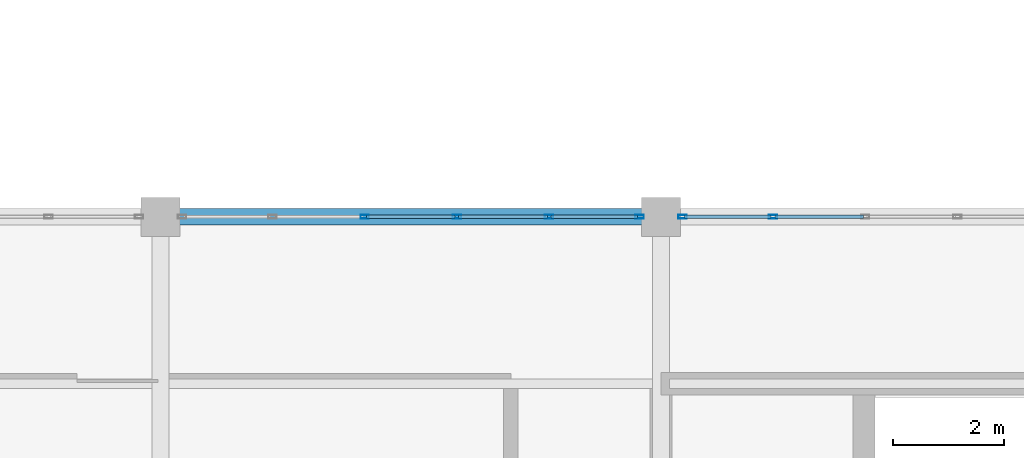
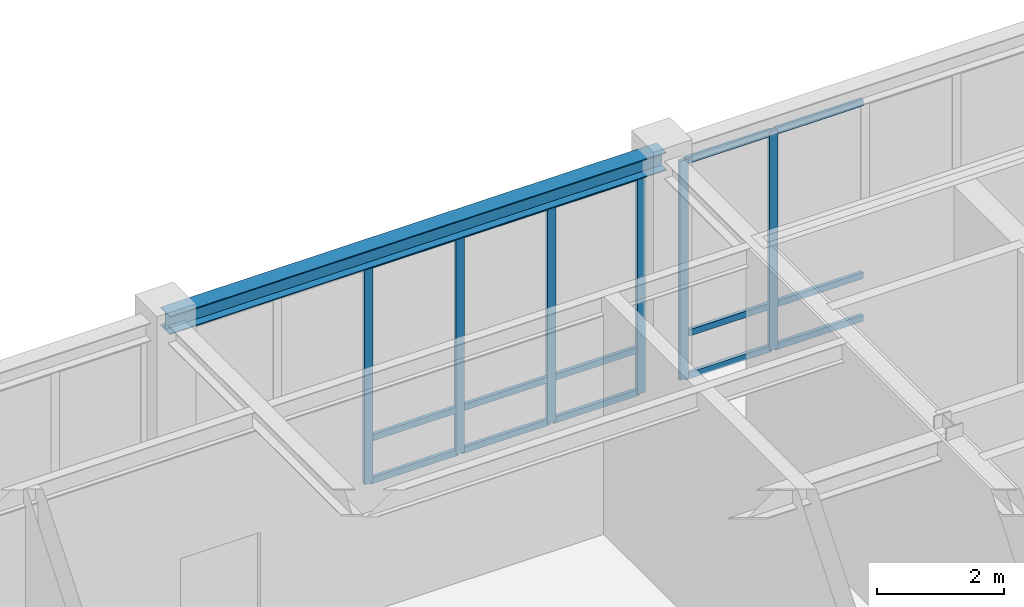
# One storey, part 43 of 92: 21 members, 1 beam, 2 elements without a shape of their own.
"""IFC4 building model written with IfcOpenShell, lengths in metres."""

from ifc_helpers import new_model, si_unit, direction, frame, origin, origin_2d, place, context, subcontext, project, spatial, hollow_rectangle, i_section, extrude, material, material_profile, profile_set, type_object, element, aggregate, save


model = new_model("IFC4")

# Units and contexts
model_context = context("Model", 3, precision=1e-05, world=origin(), true_north=direction((0.0, 1.0)))
body_context = subcontext(model_context, "Body", "Model", "MODEL_VIEW")
ifc_project = project(units=[si_unit("LENGTHUNIT", "METRE"), si_unit("AREAUNIT", "SQUARE_METRE"), si_unit("VOLUMEUNIT", "CUBIC_METRE"), si_unit("PLANEANGLEUNIT", "RADIAN"), si_unit("MASSUNIT", "GRAM", prefix="KILO")], contexts=[model_context])

# Site, building, storey
site_placement = place(None, origin())
site = spatial("IfcSite", under=ifc_project, at=site_placement, CompositionType="ELEMENT")
building_placement = place(site_placement, origin())
building = spatial("IfcBuilding", under=site, at=building_placement, Name="Lykobir Media Centre", CompositionType="ELEMENT")
storey_placement = place(building_placement, frame((0.0, 0.0, 5.39990234375)))
storey = spatial("IfcBuildingStorey", under=building, at=storey_placement, Name="L01", CompositionType="ELEMENT", Elevation=5.39990234375)

# Curtain wall, members
ifc_material_1 = material(Name="Anodized Aluminium AW-6060", Category="aluminium")
curtain_wall_type = type_object("IfcCurtainWallType", Name="CW-COURT-A", PredefinedType="NOTDEFINED", material=ifc_material_1)
curtain_wall_1_placement = place(storey_placement, origin())
curtain_wall_1 = element("IfcCurtainWall", 1, at=curtain_wall_1_placement, inside=storey, type_object=curtain_wall_type, Name="Curtain wall CW2-L01-0029", PredefinedType="NOTDEFINED")
ifc_material_profile_1 = material_profile(ifc_material_1, hollow_rectangle(XDim=0.06494140625, YDim=0.14990234375, WallThickness=0.00341796875, at=origin_2d()), Name="ALU MULLION 65x150")
ifc_profile_set_1 = profile_set([ifc_material_profile_1], Name="Anodized Aluminium AW-6060")
member_type_1 = type_object("IfcMemberType", Name="CWM-150", PredefinedType="MULLION", material=ifc_profile_set_1)
member_1_placement = place(storey_placement, frame((111.6708984375, 18.0, 0.0), z_axis=(0.0, 0.0, 1.0), x_axis=(0.0, 1.0, 0.0)))
member_1 = element("IfcMember", 2, at=member_1_placement, type_object=member_type_1, Name="CW2-L01-0029 mullion 3", PredefinedType="MULLION", context=body_context, shape_type="SweptSolid", body=[
    extrude(hollow_rectangle(XDim=0.06494140625, YDim=0.14990234375, WallThickness=0.00341796875, at=origin_2d()), origin(), (0.0, 0.0, 1.0), 4.195068359375),
])
member_2_placement = place(storey_placement, frame((113.3291015625, 18.0, 0.0), z_axis=(0.0, 0.0, 1.0), x_axis=(0.0, 1.0, 0.0)))
member_2 = element("IfcMember", 3, at=member_2_placement, type_object=member_type_1, Name="CW2-L01-0029 mullion 4", PredefinedType="MULLION", context=body_context, shape_type="SweptSolid", body=[
    extrude(hollow_rectangle(XDim=0.06494140625, YDim=0.14990234375, WallThickness=0.00341796875, at=origin_2d()), origin(), (0.0, 0.0, 1.0), 4.195068359375),
])
member_3_placement = place(storey_placement, frame((114.987060546875, 18.0, 0.0), z_axis=(0.0, 0.0, 1.0), x_axis=(0.0, 1.0, 0.0)))
member_3 = element("IfcMember", 4, at=member_3_placement, type_object=member_type_1, Name="CW2-L01-0029 mullion 5", PredefinedType="MULLION", context=body_context, shape_type="SweptSolid", body=[
    extrude(hollow_rectangle(XDim=0.06494140625, YDim=0.14990234375, WallThickness=0.00341796875, at=origin_2d()), origin(), (0.0, 0.0, 1.0), 4.195068359375),
])
member_4_placement = place(storey_placement, frame((116.612548828125, 18.0, 0.0), z_axis=(0.0, 0.0, 1.0), x_axis=(0.0, 1.0, 0.0)))
member_4 = element("IfcMember", 5, at=member_4_placement, type_object=member_type_1, Name="CW2-L01-0029 mullion 6", PredefinedType="MULLION", context=body_context, shape_type="SweptSolid", body=[
    extrude(hollow_rectangle(XDim=0.06494140625, YDim=0.14990234375, WallThickness=0.00341796875, at=origin_2d()), origin(), (0.0, 0.0, 1.0), 4.195068359375),
])

curtain_wall_2_placement = place(storey_placement, origin())
curtain_wall_2 = element("IfcCurtainWall", 6, at=curtain_wall_2_placement, inside=storey, type_object=curtain_wall_type, Name="Curtain wall CW2-L01-0030", PredefinedType="NOTDEFINED")
member_5_placement = place(storey_placement, frame((117.387451171875, 18.0, 0.0), z_axis=(0.0, 0.0, 1.0), x_axis=(0.0, 1.0, 0.0)))
member_5 = element("IfcMember", 7, at=member_5_placement, type_object=member_type_1, Name="CW2-L01-0030 mullion 1", PredefinedType="MULLION", context=body_context, shape_type="SweptSolid", body=[
    extrude(hollow_rectangle(XDim=0.06494140625, YDim=0.14990234375, WallThickness=0.00341796875, at=origin_2d()), origin(), (0.0, 0.0, 1.0), 4.195068359375),
])
member_6_placement = place(storey_placement, frame((119.012939453125, 18.0, 0.0), z_axis=(0.0, 0.0, 1.0), x_axis=(0.0, 1.0, 0.0)))
member_6 = element("IfcMember", 8, at=member_6_placement, type_object=member_type_1, Name="CW2-L01-0030 mullion 2", PredefinedType="MULLION", context=body_context, shape_type="SweptSolid", body=[
    extrude(hollow_rectangle(XDim=0.06494140625, YDim=0.14990234375, WallThickness=0.00341796875, at=origin_2d()), origin(), (0.0, 0.0, 1.0), 4.195068359375),
])

# Member
ifc_material_profile_2 = material_profile(ifc_material_1, hollow_rectangle(XDim=0.06494140625, YDim=0.1201171875, WallThickness=0.0029296875, at=origin_2d()), Name="ALU TRANSOM 65x120")
ifc_profile_set_2 = profile_set([ifc_material_profile_2], Name="Anodized Aluminium AW-6060")
member_type_2 = type_object("IfcMemberType", Name="CWT-120", PredefinedType="USERDEFINED", material=ifc_profile_set_2)
member_7_placement = place(storey_placement, frame((111.70361328125, 18.0, 0.03271484375), z_axis=(1.0, 0.0, 0.0), x_axis=(0.0, 1.0, 0.0)))
member_7 = element("IfcMember", 9, at=member_7_placement, type_object=member_type_2, Name="CW2-L01-0029 transom 3.1", ObjectType="TRANSOM", PredefinedType="USERDEFINED", context=body_context, shape_type="SweptSolid", body=[
    extrude(hollow_rectangle(XDim=0.06494140625, YDim=0.1201171875, WallThickness=0.0029296875, at=origin_2d()), origin(), (0.0, 0.0, 1.0), 1.5927734375),
])

member_8_placement = place(storey_placement, frame((111.70361328125, 18.0, 0.85009765625), z_axis=(1.0, 0.0, 0.0), x_axis=(0.0, 1.0, 0.0)))
member_8 = element("IfcMember", 10, at=member_8_placement, type_object=member_type_2, Name="CW2-L01-0029 transom 3.2", ObjectType="TRANSOM", PredefinedType="USERDEFINED", context=body_context, shape_type="SweptSolid", body=[
    extrude(hollow_rectangle(XDim=0.06494140625, YDim=0.1201171875, WallThickness=0.0029296875, at=origin_2d()), origin(), (0.0, 0.0, 1.0), 1.5927734375),
])

member_9_placement = place(storey_placement, frame((111.70361328125, 18.0, 4.16259765625), z_axis=(1.0, 0.0, 0.0), x_axis=(0.0, 1.0, 0.0)))
member_9 = element("IfcMember", 11, at=member_9_placement, type_object=member_type_2, Name="CW2-L01-0029 transom 3.3", ObjectType="TRANSOM", PredefinedType="USERDEFINED", context=body_context, shape_type="SweptSolid", body=[
    extrude(hollow_rectangle(XDim=0.06494140625, YDim=0.1201171875, WallThickness=0.0029296875, at=origin_2d()), origin(), (0.0, 0.0, 1.0), 1.5927734375),
])

member_10_placement = place(storey_placement, frame((113.361572265625, 18.0, 0.03271484375), z_axis=(1.0, 0.0, 0.0), x_axis=(0.0, 1.0, 0.0)))
member_10 = element("IfcMember", 12, at=member_10_placement, type_object=member_type_2, Name="CW2-L01-0029 transom 4.1", ObjectType="TRANSOM", PredefinedType="USERDEFINED", context=body_context, shape_type="SweptSolid", body=[
    extrude(hollow_rectangle(XDim=0.06494140625, YDim=0.1201171875, WallThickness=0.0029296875, at=origin_2d()), origin(), (0.0, 0.0, 1.0), 1.593017578125),
])

member_11_placement = place(storey_placement, frame((113.361572265625, 18.0, 0.85009765625), z_axis=(1.0, 0.0, 0.0), x_axis=(0.0, 1.0, 0.0)))
member_11 = element("IfcMember", 13, at=member_11_placement, type_object=member_type_2, Name="CW2-L01-0029 transom 4.2", ObjectType="TRANSOM", PredefinedType="USERDEFINED", context=body_context, shape_type="SweptSolid", body=[
    extrude(hollow_rectangle(XDim=0.06494140625, YDim=0.1201171875, WallThickness=0.0029296875, at=origin_2d()), origin(), (0.0, 0.0, 1.0), 1.593017578125),
])

member_12_placement = place(storey_placement, frame((113.361572265625, 18.0, 4.16259765625), z_axis=(1.0, 0.0, 0.0), x_axis=(0.0, 1.0, 0.0)))
member_12 = element("IfcMember", 14, at=member_12_placement, type_object=member_type_2, Name="CW2-L01-0029 transom 4.3", ObjectType="TRANSOM", PredefinedType="USERDEFINED", context=body_context, shape_type="SweptSolid", body=[
    extrude(hollow_rectangle(XDim=0.06494140625, YDim=0.1201171875, WallThickness=0.0029296875, at=origin_2d()), origin(), (0.0, 0.0, 1.0), 1.593017578125),
])

member_13_placement = place(storey_placement, frame((115.01953125, 18.0, 0.03271484375), z_axis=(1.0, 0.0, 0.0), x_axis=(0.0, 1.0, 0.0)))
member_13 = element("IfcMember", 15, at=member_13_placement, type_object=member_type_2, Name="CW2-L01-0029 transom 5.1", ObjectType="TRANSOM", PredefinedType="USERDEFINED", context=body_context, shape_type="SweptSolid", body=[
    extrude(hollow_rectangle(XDim=0.06494140625, YDim=0.1201171875, WallThickness=0.0029296875, at=origin_2d()), origin(), (0.0, 0.0, 1.0), 1.560546875),
])

member_14_placement = place(storey_placement, frame((115.01953125, 18.0, 0.85009765625), z_axis=(1.0, 0.0, 0.0), x_axis=(0.0, 1.0, 0.0)))
member_14 = element("IfcMember", 16, at=member_14_placement, type_object=member_type_2, Name="CW2-L01-0029 transom 5.2", ObjectType="TRANSOM", PredefinedType="USERDEFINED", context=body_context, shape_type="SweptSolid", body=[
    extrude(hollow_rectangle(XDim=0.06494140625, YDim=0.1201171875, WallThickness=0.0029296875, at=origin_2d()), origin(), (0.0, 0.0, 1.0), 1.560546875),
])

member_15_placement = place(storey_placement, frame((115.01953125, 18.0, 4.16259765625), z_axis=(1.0, 0.0, 0.0), x_axis=(0.0, 1.0, 0.0)))
member_15 = element("IfcMember", 17, at=member_15_placement, type_object=member_type_2, Name="CW2-L01-0029 transom 5.3", ObjectType="TRANSOM", PredefinedType="USERDEFINED", context=body_context, shape_type="SweptSolid", body=[
    extrude(hollow_rectangle(XDim=0.06494140625, YDim=0.1201171875, WallThickness=0.0029296875, at=origin_2d()), origin(), (0.0, 0.0, 1.0), 1.560546875),
])

aggregate(curtain_wall_1, [member_1, member_2, member_3, member_4, member_7, member_8, member_9, member_10, member_11, member_12, member_13, member_14, member_15])

member_16_placement = place(storey_placement, frame((117.419921875, 18.0, 0.03271484375), z_axis=(1.0, 0.0, 0.0), x_axis=(0.0, 1.0, 0.0)))
member_16 = element("IfcMember", 18, at=member_16_placement, type_object=member_type_2, Name="CW2-L01-0030 transom 1.1", ObjectType="TRANSOM", PredefinedType="USERDEFINED", context=body_context, shape_type="SweptSolid", body=[
    extrude(hollow_rectangle(XDim=0.06494140625, YDim=0.1201171875, WallThickness=0.0029296875, at=origin_2d()), origin(), (0.0, 0.0, 1.0), 1.560546875),
])

member_17_placement = place(storey_placement, frame((117.419921875, 18.0, 0.85009765625), z_axis=(1.0, 0.0, 0.0), x_axis=(0.0, 1.0, 0.0)))
member_17 = element("IfcMember", 19, at=member_17_placement, type_object=member_type_2, Name="CW2-L01-0030 transom 1.2", ObjectType="TRANSOM", PredefinedType="USERDEFINED", context=body_context, shape_type="SweptSolid", body=[
    extrude(hollow_rectangle(XDim=0.06494140625, YDim=0.1201171875, WallThickness=0.0029296875, at=origin_2d()), origin(), (0.0, 0.0, 1.0), 1.560546875),
])

member_18_placement = place(storey_placement, frame((117.419921875, 18.0, 4.16259765625), z_axis=(1.0, 0.0, 0.0), x_axis=(0.0, 1.0, 0.0)))
member_18 = element("IfcMember", 20, at=member_18_placement, type_object=member_type_2, Name="CW2-L01-0030 transom 1.3", ObjectType="TRANSOM", PredefinedType="USERDEFINED", context=body_context, shape_type="SweptSolid", body=[
    extrude(hollow_rectangle(XDim=0.06494140625, YDim=0.1201171875, WallThickness=0.0029296875, at=origin_2d()), origin(), (0.0, 0.0, 1.0), 1.560546875),
])

member_19_placement = place(storey_placement, frame((119.04541015625, 18.0, 0.03271484375), z_axis=(1.0, 0.0, 0.0), x_axis=(0.0, 1.0, 0.0)))
member_19 = element("IfcMember", 21, at=member_19_placement, type_object=member_type_2, Name="CW2-L01-0030 transom 2.1", ObjectType="TRANSOM", PredefinedType="USERDEFINED", context=body_context, shape_type="SweptSolid", body=[
    extrude(hollow_rectangle(XDim=0.06494140625, YDim=0.1201171875, WallThickness=0.0029296875, at=origin_2d()), origin(), (0.0, 0.0, 1.0), 1.593017578125),
])

member_20_placement = place(storey_placement, frame((119.04541015625, 18.0, 0.85009765625), z_axis=(1.0, 0.0, 0.0), x_axis=(0.0, 1.0, 0.0)))
member_20 = element("IfcMember", 22, at=member_20_placement, type_object=member_type_2, Name="CW2-L01-0030 transom 2.2", ObjectType="TRANSOM", PredefinedType="USERDEFINED", context=body_context, shape_type="SweptSolid", body=[
    extrude(hollow_rectangle(XDim=0.06494140625, YDim=0.1201171875, WallThickness=0.0029296875, at=origin_2d()), origin(), (0.0, 0.0, 1.0), 1.593017578125),
])

member_21_placement = place(storey_placement, frame((119.04541015625, 18.0, 4.16259765625), z_axis=(1.0, 0.0, 0.0), x_axis=(0.0, 1.0, 0.0)))
member_21 = element("IfcMember", 23, at=member_21_placement, type_object=member_type_2, Name="CW2-L01-0030 transom 2.3", ObjectType="TRANSOM", PredefinedType="USERDEFINED", context=body_context, shape_type="SweptSolid", body=[
    extrude(hollow_rectangle(XDim=0.06494140625, YDim=0.1201171875, WallThickness=0.0029296875, at=origin_2d()), origin(), (0.0, 0.0, 1.0), 1.593017578125),
])

aggregate(curtain_wall_2, [member_5, member_6, member_16, member_17, member_18, member_19, member_20, member_21])

# Beam
ifc_material_2 = material(Name="Steel S355", Category="steel")
ifc_material_profile_3 = material_profile(ifc_material_2, i_section(OverallWidth=0.300048828125, OverallDepth=0.35009765625, WebThickness=0.010009765625, FlangeThickness=0.017578125, at=origin_2d()), Name="HEA 360")
ifc_profile_set_3 = profile_set([ifc_material_profile_3], Name="Steel S355")
beam_type = type_object("IfcBeamType", Name="SP-HEA360", PredefinedType="SPANDREL", material=ifc_profile_set_3)
beam_placement = place(storey_placement, frame((108.0, 18.0, 4.385009765625), z_axis=(1.0, 0.0, 0.0), x_axis=(0.0, 1.0, 0.0)))
element("IfcBeam", 24, at=beam_placement, inside=storey, type_object=beam_type, Name="Beam BM-L01-1080-0180-1170-0180-978", PredefinedType="SPANDREL", context=body_context, shape_type="SweptSolid", body=[
    extrude(i_section(OverallWidth=0.300048828125, OverallDepth=0.35009765625, WebThickness=0.010009765625, FlangeThickness=0.017578125, at=origin_2d()), origin(), (0.0, 0.0, 1.0), 9.0),
])

save(model, "model.ifc")
